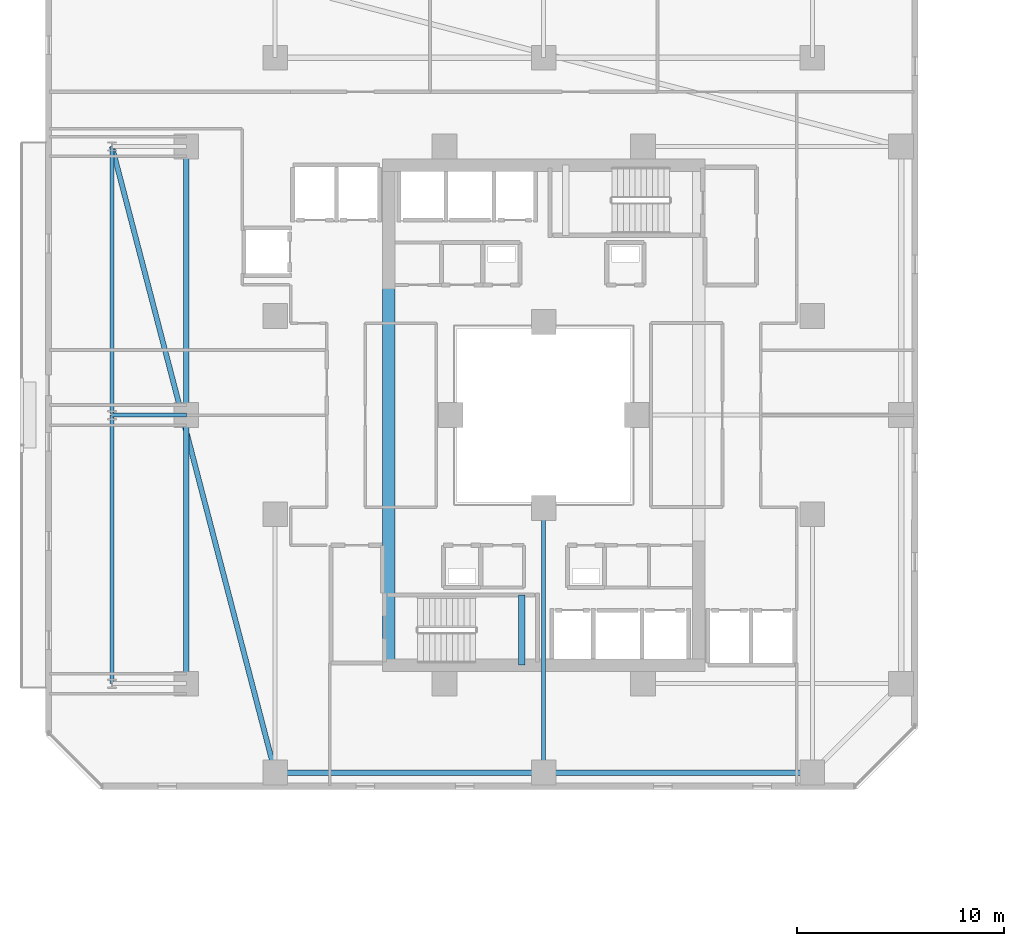
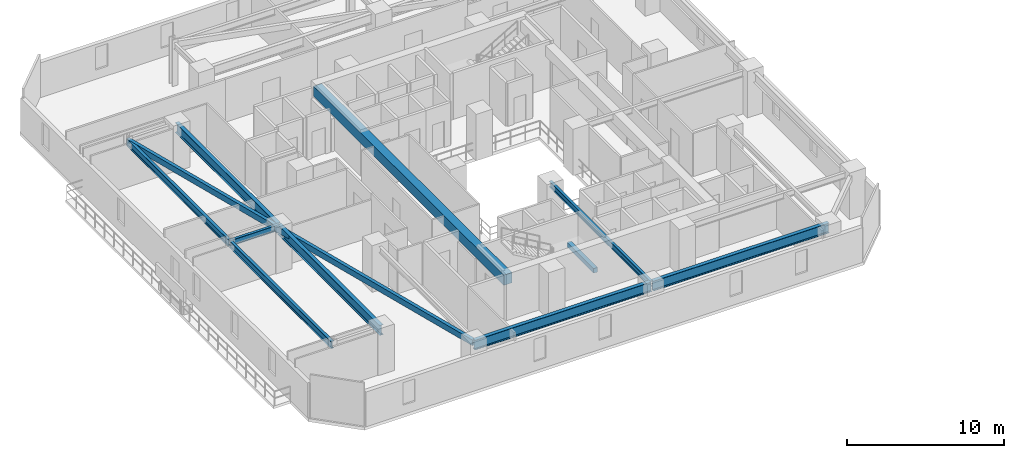
# One storey, part 4 of 33: 11 beams.
"""IFC4 building model written with IfcOpenShell, lengths in metres."""

from ifc_helpers import new_model, si_unit, direction, frame, origin, origin_2d, place, context, subcontext, project, spatial, rectangle, hollow_rectangle, i_section, extrude, material, material_profile, profile_set, type_object, element, save


model = new_model("IFC4")

# Units and contexts
model_context = context("Model", 3, precision=1e-05, world=origin(), true_north=direction((0.0, 1.0)))
body_context = subcontext(model_context, "Body", "Model", "MODEL_VIEW")
ifc_project = project(units=[si_unit("LENGTHUNIT", "METRE"), si_unit("AREAUNIT", "SQUARE_METRE"), si_unit("VOLUMEUNIT", "CUBIC_METRE"), si_unit("PLANEANGLEUNIT", "RADIAN"), si_unit("MASSUNIT", "GRAM", prefix="KILO")], contexts=[model_context])

# Site, building, storey
site_placement = place(None, origin())
site = spatial("IfcSite", under=ifc_project, at=site_placement, CompositionType="ELEMENT")
building_placement = place(site_placement, origin())
building = spatial("IfcBuilding", under=site, at=building_placement, Name="Thornwick Lancets Civic Towers", CompositionType="ELEMENT")
storey_placement = place(building_placement, frame((0.0, 0.0, 112.5)))
storey = spatial("IfcBuildingStorey", under=building, at=storey_placement, Name="L29", CompositionType="ELEMENT", Elevation=112.5)

# Beams
ifc_material_1 = material(Name="Concrete C60/75", Category="concrete")
ifc_material_profile_1 = material_profile(ifc_material_1, rectangle(XDim=0.60009765625, YDim=0.800048828125, at=origin_2d()), Name="RC 600x800")
ifc_profile_set_1 = profile_set([ifc_material_profile_1], Name="Concrete C60/75")
beam_type_1 = type_object("IfcBeamType", Name="BM_COUP_RC800", PredefinedType="BEAM", material=ifc_profile_set_1)
beam_1_placement = place(storey_placement, frame((18.0, 14.89990234375, 2.9599609375), z_axis=(0.0, 1.0, 0.0), x_axis=(-1.0, 0.0, 0.0)))
element("IfcBeam", 1, at=beam_1_placement, inside=storey, type_object=beam_type_1, Name="CB-L29-A2", PredefinedType="BEAM", context=body_context, shape_type="SweptSolid", body=[
    extrude(rectangle(XDim=0.60009765625, YDim=0.800048828125, at=origin_2d()), origin(), (0.0, 0.0, 1.0), 24.2001953125),
])
ifc_material_2 = material(Name="Steel S355JR", Category="steel")
ifc_material_profile_2 = material_profile(ifc_material_2, i_section(OverallWidth=0.2119140625, OverallDepth=0.54443359375, WebThickness=0.0126953125, FlangeThickness=0.021240234375, FilletRadius=0.0126953125, at=origin_2d()), Name="UKB 533x210x122")
ifc_profile_set_2 = profile_set([ifc_material_profile_2], Name="Steel S355JR")
beam_type_2 = type_object("IfcBeamType", Name="BM_EDGE_533_122", PredefinedType="SPANDREL", material=ifc_profile_set_2)
beam_2_placement = place(storey_placement, frame((4.60009765625, 14.0, 3.087646484375), z_axis=(0.0, 1.0, 0.0), x_axis=(-1.0, 0.0, 0.0)))
element("IfcBeam", 2, at=beam_2_placement, inside=storey, type_object=beam_type_2, Name="BM-EDGE-L29-A-S3-1", PredefinedType="SPANDREL", context=body_context, shape_type="SweptSolid", body=[
    extrude(i_section(OverallWidth=0.2119140625, OverallDepth=0.54443359375, WebThickness=0.0126953125, FlangeThickness=0.021240234375, FilletRadius=0.0126953125, at=origin_2d()), origin(), (0.0, 0.0, 1.0), 13.0),
])
beam_3_placement = place(storey_placement, frame((4.60009765625, 27.080078125, 3.087646484375), z_axis=(0.0, 1.0, 0.0), x_axis=(-1.0, 0.0, 0.0)))
element("IfcBeam", 3, at=beam_3_placement, inside=storey, type_object=beam_type_2, Name="BM-EDGE-L29-A-S3-2", PredefinedType="SPANDREL", context=body_context, shape_type="SweptSolid", body=[
    extrude(i_section(OverallWidth=0.2119140625, OverallDepth=0.54443359375, WebThickness=0.0126953125, FlangeThickness=0.021240234375, FilletRadius=0.0126953125, at=origin_2d()), origin(), (0.0, 0.0, 1.0), 12.919921875),
])
ifc_material_profile_3 = material_profile(ifc_material_2, i_section(OverallWidth=0.26806640625, OverallDepth=0.769775390625, WebThickness=0.015625, FlangeThickness=0.025390625, FilletRadius=0.0166015625, at=origin_2d()), Name="UKB 762x267x197")
ifc_profile_set_3 = profile_set([ifc_material_profile_3], Name="Steel S355JR")
beam_type_3 = type_object("IfcBeamType", Name="BM_GIRD_762_197", PredefinedType="BEAM", material=ifc_profile_set_3)
beam_4_placement = place(storey_placement, frame((12.5, 9.699951171875, 2.97509765625), z_axis=(1.0, 0.0, 0.0), x_axis=(0.0, 1.0, 0.0)))
element("IfcBeam", 4, at=beam_4_placement, inside=storey, type_object=beam_type_3, Name="BM-SPINE-L29-A-0-1", PredefinedType="BEAM", context=body_context, shape_type="SweptSolid", body=[
    extrude(i_section(OverallWidth=0.26806640625, OverallDepth=0.769775390625, WebThickness=0.015625, FlangeThickness=0.025390625, FilletRadius=0.0166015625, at=origin_2d()), origin(), (0.0, 0.0, 1.0), 13.0),
])
beam_5_placement = place(storey_placement, frame((25.580078125, 9.699951171875, 2.97509765625), z_axis=(1.0, 0.0, 0.0), x_axis=(0.0, 1.0, 0.0)))
element("IfcBeam", 5, at=beam_5_placement, inside=storey, type_object=beam_type_3, Name="BM-SPINE-L29-A-1-2", PredefinedType="BEAM", context=body_context, shape_type="SweptSolid", body=[
    extrude(i_section(OverallWidth=0.26806640625, OverallDepth=0.769775390625, WebThickness=0.015625, FlangeThickness=0.025390625, FilletRadius=0.0166015625, at=origin_2d()), origin(), (0.0, 0.0, 1.0), 12.919921875),
])
beam_6_placement = place(storey_placement, frame((8.199951171875, 14.0, 2.97509765625), z_axis=(0.0, 1.0, 0.0), x_axis=(-1.0, 0.0, 0.0)))
element("IfcBeam", 6, at=beam_6_placement, inside=storey, type_object=beam_type_3, Name="BM-SPINE-L29-A-9-10", PredefinedType="BEAM", context=body_context, shape_type="SweptSolid", body=[
    extrude(i_section(OverallWidth=0.26806640625, OverallDepth=0.769775390625, WebThickness=0.015625, FlangeThickness=0.025390625, FilletRadius=0.0166015625, at=origin_2d()), origin(), (0.0, 0.0, 1.0), 13.0),
])
beam_7_placement = place(storey_placement, frame((8.199951171875, 27.080078125, 2.97509765625), z_axis=(0.0, 1.0, 0.0), x_axis=(-1.0, 0.0, 0.0)))
element("IfcBeam", 7, at=beam_7_placement, inside=storey, type_object=beam_type_3, Name="BM-SPINE-L29-A-10-11", PredefinedType="BEAM", context=body_context, shape_type="SweptSolid", body=[
    extrude(i_section(OverallWidth=0.26806640625, OverallDepth=0.769775390625, WebThickness=0.015625, FlangeThickness=0.025390625, FilletRadius=0.0166015625, at=origin_2d()), origin(), (0.0, 0.0, 1.0), 12.919921875),
])
ifc_material_profile_4 = material_profile(ifc_material_2, i_section(OverallWidth=0.19189453125, OverallDepth=0.46337890625, WebThickness=0.010498046875, FlangeThickness=0.017578125, FilletRadius=0.01025390625, at=origin_2d()), Name="UKB 457x191x89")
ifc_profile_set_4 = profile_set([ifc_material_profile_4], Name="Steel S355JR")
beam_type_4 = type_object("IfcBeamType", Name="BM_JOIST_457_89", PredefinedType="JOIST", material=ifc_profile_set_4)
beam_8_placement = place(storey_placement, frame((25.5, 22.5, 3.12841796875), z_axis=(0.0, -1.0, 0.0), x_axis=(1.0, 0.0, 0.0)))
element("IfcBeam", 8, at=beam_8_placement, inside=storey, type_object=beam_type_4, Name="BM-RADIN-L29-A02", PredefinedType="JOIST", context=body_context, shape_type="SweptSolid", body=[
    extrude(i_section(OverallWidth=0.19189453125, OverallDepth=0.46337890625, WebThickness=0.010498046875, FlangeThickness=0.017578125, FilletRadius=0.01025390625, at=origin_2d()), origin(), (0.0, 0.0, 1.0), 12.800048828125),
])
beam_9_placement = place(storey_placement, frame((8.199951171875, 27.0, 3.12841796875), z_axis=(-1.0, 0.0, 0.0), x_axis=(0.0, -1.0, 0.0)))
element("IfcBeam", 9, at=beam_9_placement, inside=storey, type_object=beam_type_4, Name="BM-RAD-L29-A11", PredefinedType="JOIST", context=body_context, shape_type="SweptSolid", body=[
    extrude(i_section(OverallWidth=0.19189453125, OverallDepth=0.46337890625, WebThickness=0.010498046875, FlangeThickness=0.017578125, FilletRadius=0.01025390625, at=origin_2d()), origin(), (0.0, 0.0, 1.0), 3.599853515625),
])
ifc_material_profile_5 = material_profile(ifc_material_2, hollow_rectangle(XDim=0.25, YDim=0.449951171875, WallThickness=0.01611328125, at=origin_2d()), Name="RHS 450x250x16")
ifc_profile_set_5 = profile_set([ifc_material_profile_5], Name="Steel S355JR")
beam_type_5 = type_object("IfcBeamType", Name="BM_RING_RHS450", PredefinedType="BEAM", material=ifc_profile_set_5)
beam_10_placement = place(storey_placement, frame((4.60009765625, 40.0, 3.135009765625), z_axis=(0.252288590311, -0.967652038286, 0.0), x_axis=(0.967652038286, 0.252288590311, 0.0)))
element("IfcBeam", 10, at=beam_10_placement, inside=storey, type_object=beam_type_5, Name="BM-CHAMF-L29-A-C3", PredefinedType="BEAM", context=body_context, shape_type="SweptSolid", body=[
    extrude(hollow_rectangle(XDim=0.25, YDim=0.449951171875, WallThickness=0.01611328125, at=origin_2d()), origin(), (0.0, 0.0, 1.0), 31.31298828125),
])
ifc_material_3 = material(Name="Concrete C40/50", Category="concrete")
ifc_material_profile_6 = material_profile(ifc_material_3, rectangle(XDim=0.300048828125, YDim=0.35009765625, at=origin_2d()), Name="RC 300x350")
ifc_profile_set_6 = profile_set([ifc_material_profile_6], Name="Concrete C40/50")
beam_type_6 = type_object("IfcBeamType", Name="BM_STAIR_LDG", PredefinedType="BEAM", material=ifc_profile_set_6)
beam_11_placement = place(storey_placement, frame((24.43505859375, 14.89990234375, 1.3779296875), z_axis=(0.0, 1.0, 0.0), x_axis=(-1.0, 0.0, 0.0)))
element("IfcBeam", 11, at=beam_11_placement, inside=storey, type_object=beam_type_6, Name="L29 ST-A1 Landing Support Beam 1", PredefinedType="BEAM", context=body_context, shape_type="SweptSolid", body=[
    extrude(rectangle(XDim=0.300048828125, YDim=0.35009765625, at=origin_2d()), origin(), (0.0, 0.0, 1.0), 3.400146484375),
])

save(model, "model.ifc")
